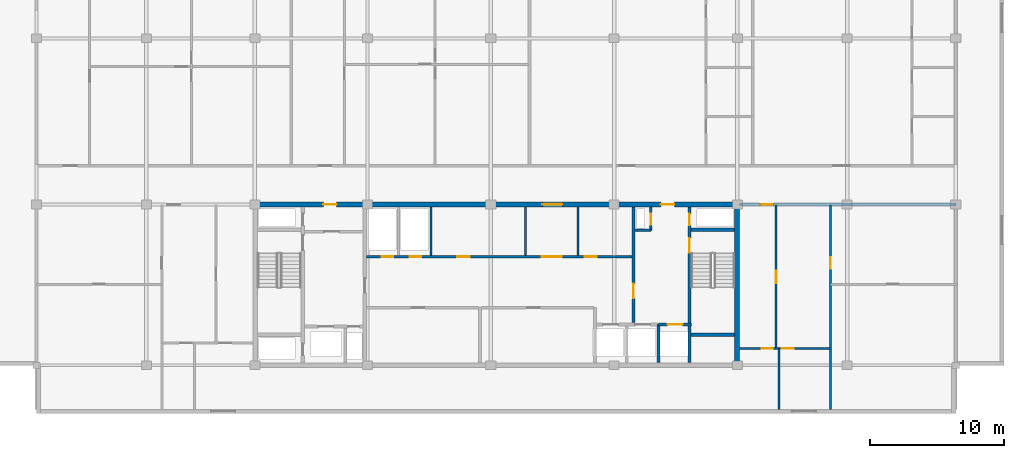
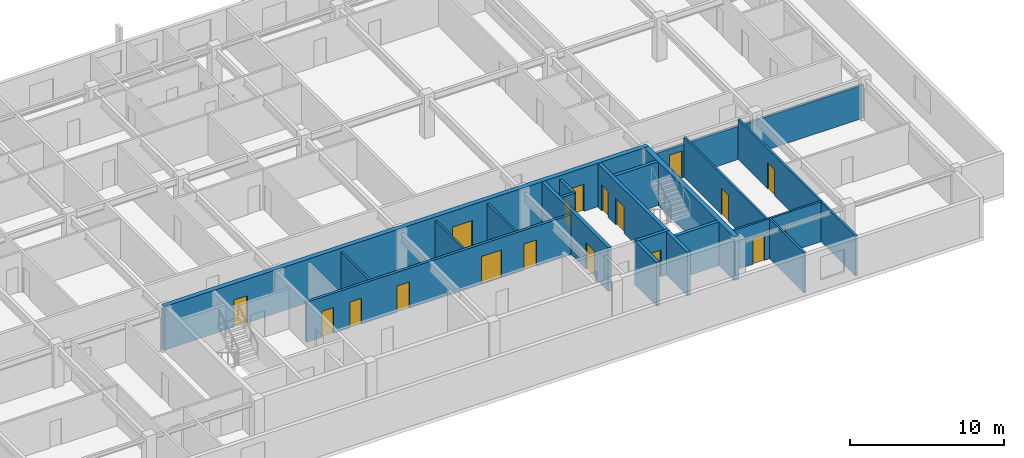
# One storey, part 5 of 11: 19 walls, 18 doors, 18 openings.
"""IFC4 building model written with IfcOpenShell, lengths in metres."""

import ifcopenshell
import ifcopenshell.guid

model = None  # the IFC model being written
_history = None  # IfcOwnerHistory: only IFC2X3 demands one
_inside = {}  # id of a spatial element -> (the spatial element, [elements in it])
_under = {}  # id of a project, library or spatial element -> (it, [spatial elements below it])
_declared = {}  # id of a project -> (the project, [libraries it declares])
_typed = {}  # id of a type object -> (the type object, [elements of that type])
_made_of = {}  # id of a material, layer set ... -> (it, [elements and type objects made of it])


def new_model(schema):
    """Start an empty IFC model of exactly this schema.

    Asked for "IFC4X3", IfcOpenShell would pick the latest addendum, in which some entities
    have other attributes; the version numbers below select the first issue.
    IFC2X3 requires an IfcOwnerHistory on every rooted entity: one is made here for all.
    """
    global model, _history
    if schema == "IFC4X3":
        model = ifcopenshell.file(schema_version=(4, 3, 0, 0))
    else:
        model = ifcopenshell.file(schema=schema)
    _inside.clear()
    _under.clear()
    _declared.clear()
    _typed.clear()
    _made_of.clear()
    _history = None
    if model.schema == "IFC2X3":
        org = make("IfcOrganization", Name="unknown")
        user = make(
            "IfcPersonAndOrganization",
            ThePerson=make("IfcPerson", FamilyName="unknown"),
            TheOrganization=org,
        )
        app = make(
            "IfcApplication",
            ApplicationDeveloper=org,
            Version="unknown",
            ApplicationFullName="unknown",
            ApplicationIdentifier="unknown",
        )
        _history = make(
            "IfcOwnerHistory",
            OwningUser=user,
            OwningApplication=app,
            ChangeAction="ADDED",
            CreationDate=0,
        )
    return model


def make(cls, **values):
    """One entity of the class cls with the attributes given. An attribute that is None is left unset."""
    return model.create_entity(
        cls, **{name: value for name, value in values.items() if value is not None}
    )


def rooted(cls, **values):
    """An entity with a GlobalId (a new one), such as an element, a storey or a relation."""
    return make(cls, GlobalId=ifcopenshell.guid.new(), OwnerHistory=_history, **values)


def si_unit(unit_type, name, prefix=None):
    """IfcSIUnit, for example si_unit("LENGTHUNIT", "METRE", prefix="MILLI")."""
    return make("IfcSIUnit", UnitType=unit_type, Prefix=prefix, Name=name)


def assignment(units):
    """IfcUnitAssignment: the units of a project."""
    return None if units is None else make("IfcUnitAssignment", Units=units)


def point(xyz):
    """IfcCartesianPoint."""
    return None if xyz is None else make("IfcCartesianPoint", Coordinates=xyz)


def direction(xyz):
    """IfcDirection."""
    return None if xyz is None else make("IfcDirection", DirectionRatios=xyz)


def frame(location, z_axis=None, x_axis=None):
    """IfcAxis2Placement3D, a coordinate frame: its origin and axes. An axis left out is left unset."""
    return make(
        "IfcAxis2Placement3D",
        Location=point(location),
        Axis=direction(z_axis),
        RefDirection=direction(x_axis),
    )


def frame_2d(location, x_axis=None):
    """IfcAxis2Placement2D, a coordinate frame in the plane: its origin and x axis."""
    return make(
        "IfcAxis2Placement2D", Location=point(location), RefDirection=direction(x_axis)
    )


def origin():
    """The frame at (0, 0, 0) with its axes left unset."""
    return frame((0.0, 0.0, 0.0))


def place(relative_to, where):
    """IfcLocalPlacement: puts the frame where relative to a parent placement (None: the world)."""
    return make(
        "IfcLocalPlacement", PlacementRelTo=relative_to, RelativePlacement=where
    )


def context(
    kind, dimensions, precision=None, world=None, true_north=None, identifier=None
):
    """IfcGeometricRepresentationContext, for example the 3D "Model" context."""
    return make(
        "IfcGeometricRepresentationContext",
        ContextIdentifier=identifier,
        ContextType=kind,
        CoordinateSpaceDimension=dimensions,
        Precision=precision,
        WorldCoordinateSystem=world,
        TrueNorth=true_north,
    )


def subcontext(parent, identifier, kind, view, scale=None):
    """IfcGeometricRepresentationSubContext, for example "Body" below "Model"."""
    return make(
        "IfcGeometricRepresentationSubContext",
        ContextIdentifier=identifier,
        ContextType=kind,
        ParentContext=parent,
        TargetScale=scale,
        TargetView=view,
    )


def project(units=None, contexts=None):
    """IfcProject with its units and contexts."""
    return rooted(
        "IfcProject",
        Name="project",
        RepresentationContexts=contexts,
        UnitsInContext=assignment(units),
    )


def spatial(cls, under=None, at=None, **own):
    """A site, building, storey or space (cls), placed at a placement, below another one or the project."""
    s = rooted(cls, ObjectPlacement=at, **own)
    if under is not None:
        _under.setdefault(under.id(), (under, []))[1].append(s)
    return s


def profile(cls, at=None, kind="AREA", **sizes):
    """A parametric profile (cls). Its sizes go by their IFC names, for example OverallWidth=200.0."""
    return make(cls, ProfileType=kind, Position=at, **sizes)


def rectangle(**sizes):
    """IfcRectangleProfileDef."""
    return profile("IfcRectangleProfileDef", **sizes)


def extrude(swept, where, along, depth):
    """IfcExtrudedAreaSolid: the profile swept, set in the frame where, extruded along a direction by depth."""
    return make(
        "IfcExtrudedAreaSolid",
        SweptArea=swept,
        Position=where,
        ExtrudedDirection=direction(along),
        Depth=depth,
    )


def shape(context_of_items, identifier, shape_type, items):
    """IfcShapeRepresentation: the items that make up one representation, for example the "Body"."""
    return make(
        "IfcShapeRepresentation",
        ContextOfItems=context_of_items,
        RepresentationIdentifier=identifier,
        RepresentationType=shape_type,
        Items=items,
    )


def material(Name=None, Category=None):
    """IfcMaterial."""
    return make("IfcMaterial", Name=Name, Category=Category)


def layer(
    of_material, thickness, ventilated=None, Name=None, Category=None, Priority=None
):
    """IfcMaterialLayer: one layer of a wall or slab, of a material (None: an air gap)."""
    return make(
        "IfcMaterialLayer",
        Material=of_material,
        LayerThickness=thickness,
        IsVentilated=ventilated,
        Name=Name,
        Category=Category,
        Priority=Priority,
    )


def layer_set(layers, Name=None):
    """IfcMaterialLayerSet."""
    return make("IfcMaterialLayerSet", MaterialLayers=layers, LayerSetName=Name)


def made_of(thing, what):
    """Note that an element or type object is made of a material, layer set ...; save() writes the relation."""
    if what is not None:
        _made_of.setdefault(what.id(), (what, []))[1].append(thing)
    return thing


def type_object(cls, material=None, **own):
    """A type object (cls), such as IfcWallType, which elements share."""
    return made_of(rooted(cls, **own), material)


def element(
    cls,
    number,
    at=None,
    inside=None,
    cuts=None,
    type_object=None,
    material=None,
    context=None,
    identifier="Body",
    shape_type=None,
    held_by="IfcProductDefinitionShape",
    body=None,
    shapes=None,
    **own,
):
    """One element of the class cls, such as IfcWall. Its Tag is "e" and its number.

    at: its placement. inside: the storey or other place that contains it. cuts: it is an
    opening in that element (IfcRelVoidsElement). A single representation is given by context,
    identifier, shape_type and body (its items); several are given by shapes. held_by: the class
    of the entity that holds the representations. save() writes the other relations.
    """
    e = rooted(cls, Tag="e%d" % number, ObjectPlacement=at, **own)
    if body is not None:
        shapes = [shape(context, identifier, shape_type, body)]
    if shapes is not None:
        e.Representation = make(held_by, Representations=shapes)
    if inside is not None:
        _inside.setdefault(inside.id(), (inside, []))[1].append(e)
    if cuts is not None:
        rooted(
            "IfcRelVoidsElement", RelatingBuildingElement=cuts, RelatedOpeningElement=e
        )
    if type_object is not None:
        _typed.setdefault(type_object.id(), (type_object, []))[1].append(e)
    return made_of(e, material)


def fill(opening, filler):
    """IfcRelFillsElement: the door or window that sits in an opening."""
    return rooted(
        "IfcRelFillsElement",
        RelatingOpeningElement=opening,
        RelatedBuildingElement=filler,
    )


def aggregate(whole, parts):
    """IfcRelAggregates: a whole, such as a stair, and the parts it consists of."""
    return rooted("IfcRelAggregates", RelatingObject=whole, RelatedObjects=parts)


def save(model, path):
    """Write the relations noted so far, then the file.

    IfcRelAggregates (storeys below a building ...), IfcRelContainedInSpatialStructure (elements
    in a storey), IfcRelDefinesByType, IfcRelAssociatesMaterial and IfcRelDeclares: one each for
    every whole, place, type object, material and project.
    """
    for whole, parts in _under.values():
        aggregate(whole, parts)
    for where, things in _inside.values():
        rooted(
            "IfcRelContainedInSpatialStructure",
            RelatedElements=things,
            RelatingStructure=where,
        )
    for kind, things in _typed.values():
        rooted("IfcRelDefinesByType", RelatedObjects=things, RelatingType=kind)
    for what, things in _made_of.values():
        rooted("IfcRelAssociatesMaterial", RelatedObjects=things, RelatingMaterial=what)
    for by, libraries in _declared.values():
        rooted("IfcRelDeclares", RelatingContext=by, RelatedDefinitions=libraries)
    model.write(path)


model = new_model("IFC4")

# Units and contexts
model_context = context("Model", 3, precision=1e-05, world=origin(), true_north=direction((0.0, 1.0)))
body_context = subcontext(model_context, "Body", "Model", "MODEL_VIEW")
ifc_project = project(units=[si_unit("LENGTHUNIT", "METRE"), si_unit("AREAUNIT", "SQUARE_METRE"), si_unit("VOLUMEUNIT", "CUBIC_METRE"), si_unit("PLANEANGLEUNIT", "RADIAN"), si_unit("MASSUNIT", "GRAM", prefix="KILO")], contexts=[model_context])

# Site, building, storey
site_placement = place(None, origin())
site = spatial("IfcSite", under=ifc_project, at=site_placement, CompositionType="ELEMENT")
building_placement = place(site_placement, origin())
building = spatial("IfcBuilding", under=site, at=building_placement, Name="Korimba Cascade Residences", CompositionType="ELEMENT")
storey_placement = place(building_placement, frame((0.0, 0.0, 249.35009765625)))
storey = spatial("IfcBuildingStorey", under=building, at=storey_placement, Name="L72", CompositionType="ELEMENT", Elevation=249.35009765625)

# Wall
ifc_material_1 = material(Name="Concrete C65/80", Category="concrete")
ifc_layer_1 = layer(ifc_material_1, 0.35009765625)
ifc_layer_set_1 = layer_set([ifc_layer_1], Name="Concrete C65/80")
wall_type_1 = type_object("IfcWallType", Name="WAL-CORE-350", PredefinedType="SHEAR", material=ifc_layer_set_1)
wall_1_placement = place(storey_placement, frame((112.074951171875, 55.375, 0.0), z_axis=(0.0, 0.0, 1.0), x_axis=(0.0, 1.0, 0.0)))
element("IfcWall", 1, at=wall_1_placement, inside=storey, type_object=wall_type_1, Name="L72 Core Shear Wall CW-L72-T1-E", PredefinedType="SHEAR", context=body_context, shape_type="SweptSolid", body=[
    extrude(rectangle(XDim=11.64990234375, YDim=0.35009765625, at=frame_2d((5.824951171875, 0.0))), origin(), (0.0, 0.0, 1.0), 3.449951171875),
])

# Wall, openings, doors
wall_2_placement = place(storey_placement, frame((75.949951171875, 67.199951171875, 0.0), z_axis=(0.0, 0.0, 1.0), x_axis=(1.0, 0.0, 0.0)))
wall_2 = element("IfcWall", 2, at=wall_2_placement, inside=storey, type_object=wall_type_1, Name="L72 Core Shear Wall CW-L72-T1-N", PredefinedType="SHEAR", context=body_context, shape_type="SweptSolid", body=[
    extrude(rectangle(XDim=36.300048828125, YDim=0.35009765625, at=frame_2d((18.14990234375, 0.0))), origin(), (0.0, 0.0, 1.0), 3.449951171875),
])
opening_1_placement = place(wall_2_placement, frame((5.25, 0.0, 0.0)))
opening_1 = element("IfcOpeningElement", 3, at=opening_1_placement, cuts=wall_2, Name="Opening D-FD5", PredefinedType="OPENING", context=body_context, shape_type="SweptSolid", body=[
    extrude(rectangle(XDim=1.0, YDim=2.14990234375, at=frame_2d((0.5, 1.074951171875))), frame((0.0, 0.18505859375, 0.0), z_axis=(0.0, -1.0, 0.0), x_axis=(1.0, 0.0, 0.0)), (0.0, 0.0, 1.0), 0.3701171875),
])
opening_2_placement = place(wall_2_placement, frame((21.60009765625, 0.0, 0.0)))
opening_2 = element("IfcOpeningElement", 4, at=opening_2_placement, cuts=wall_2, Name="Opening D-FD8", PredefinedType="OPENING", context=body_context, shape_type="SweptSolid", body=[
    extrude(rectangle(XDim=1.5, YDim=2.199951171875, at=frame_2d((0.75, 1.10009765625))), frame((0.0, 0.18505859375, 0.0), z_axis=(0.0, -1.0, 0.0), x_axis=(1.0, 0.0, 0.0)), (0.0, 0.0, 1.0), 0.3701171875),
])
opening_3_placement = place(wall_2_placement, frame((30.449951171875, 0.0, 0.0)))
opening_3 = element("IfcOpeningElement", 5, at=opening_3_placement, cuts=wall_2, Name="Opening D-FD5", PredefinedType="OPENING", context=body_context, shape_type="SweptSolid", body=[
    extrude(rectangle(XDim=1.0, YDim=2.14990234375, at=frame_2d((0.5, 1.074951171875))), frame((0.0, 0.18505859375, 0.0), z_axis=(0.0, -1.0, 0.0), x_axis=(1.0, 0.0, 0.0)), (0.0, 0.0, 1.0), 0.3701171875),
])
ifc_material_2 = material(Name="Fire-Rated Acoustic Timber Vestibule Door", Category="wood")
door_type_1 = type_object("IfcDoorType", Name="DR-FD90-1000", OperationType="NOTDEFINED", PredefinedType="DOOR", material=ifc_material_2)
door_1_placement = place(opening_1_placement, origin())
door_1 = element("IfcDoor", 6, at=door_1_placement, inside=storey, type_object=door_type_1, Name="L72 T1 West Core Vestibule Fire Door", OperationType="SINGLE_SWING_LEFT", OverallHeight=2.14990234375, OverallWidth=1.0, PredefinedType="DOOR", context=body_context, shape_type="SweptSolid", body=[
    extrude(rectangle(XDim=1.0, YDim=2.14990234375, at=frame_2d((0.5, 1.074951171875))), frame((0.0, 0.02490234375, 0.0), z_axis=(0.0, -1.0, 0.0), x_axis=(1.0, 0.0, 0.0)), (0.0, 0.0, 1.0), 0.050048828125),
])
fill(opening_1, door_1)
door_2_placement = place(opening_3_placement, origin())
door_2 = element("IfcDoor", 7, at=door_2_placement, inside=storey, type_object=door_type_1, Name="L72 T1 East Firefighting Vestibule Fire Door", OperationType="SINGLE_SWING_RIGHT", OverallHeight=2.14990234375, OverallWidth=1.0, PredefinedType="DOOR", context=body_context, shape_type="SweptSolid", body=[
    extrude(rectangle(XDim=1.0, YDim=2.14990234375, at=frame_2d((0.5, 1.074951171875))), frame((0.0, 0.02490234375, 0.0), z_axis=(0.0, -1.0, 0.0), x_axis=(1.0, 0.0, 0.0)), (0.0, 0.0, 1.0), 0.050048828125),
])
fill(opening_3, door_2)
ifc_material_3 = material(Name="Fire-Rated Glazed Lift Lobby Double Door", Category="glass")
door_type_2 = type_object("IfcDoorType", Name="DR-FD90-1500", OperationType="NOTDEFINED", PredefinedType="DOOR", material=ifc_material_3)
door_3_placement = place(opening_2_placement, origin())
door_3 = element("IfcDoor", 8, at=door_3_placement, inside=storey, type_object=door_type_2, Name="L72 T1 Lift Lobby Fire Door", OperationType="DOUBLE_DOOR_SINGLE_SWING", OverallHeight=2.199951171875, OverallWidth=1.5, PredefinedType="DOOR", context=body_context, shape_type="SweptSolid", body=[
    extrude(rectangle(XDim=1.5, YDim=2.199951171875, at=frame_2d((0.75, 1.10009765625))), frame((0.0, 0.02490234375, 0.0), z_axis=(0.0, -1.0, 0.0), x_axis=(1.0, 0.0, 0.0)), (0.0, 0.0, 1.0), 0.050048828125),
])
fill(opening_2, door_3)

# Wall, opening, door
ifc_material_4 = material(Name="Precast concrete C40/50", Category="concrete")
ifc_layer_2 = layer(ifc_material_4, 0.199951171875)
ifc_layer_set_2 = layer_set([ifc_layer_2], Name="Precast concrete C40/50")
wall_type_2 = type_object("IfcWallType", Name="WAL-IT-200", PredefinedType="PARTITIONING", material=ifc_layer_set_2)
wall_3_placement = place(storey_placement, frame((112.25, 67.199951171875, 0.0), z_axis=(0.0, 0.0, 1.0), x_axis=(1.0, 0.0, 0.0)))
wall_3 = element("IfcWall", 9, at=wall_3_placement, inside=storey, type_object=wall_type_2, Name="L72 Partition Wall WAL-L72-T1-FE-N", PredefinedType="PARTITIONING", context=body_context, shape_type="SweptSolid", body=[
    extrude(rectangle(XDim=16.14990234375, YDim=0.199951171875, at=frame_2d((8.074951171875, 0.0))), origin(), (0.0, 0.0, 1.0), 2.63330078125),
])
opening_4_placement = place(wall_3_placement, frame((1.580078125, 0.0, 0.0)))
opening_4 = element("IfcOpeningElement", 10, at=opening_4_placement, cuts=wall_3, Name="Opening D-UN1", PredefinedType="OPENING", context=body_context, shape_type="SweptSolid", body=[
    extrude(rectangle(XDim=0.949951171875, YDim=2.14990234375, at=frame_2d((0.47509765625, 1.074951171875))), frame((0.0, 0.10986328125, 0.0), z_axis=(0.0, -1.0, 0.0), x_axis=(1.0, 0.0, 0.0)), (0.0, 0.0, 1.0), 0.219970703125),
])
ifc_material_5 = material(Name="Fire-Rated Hardwood Apartment Entrance Door", Category="wood")
door_type_3 = type_object("IfcDoorType", Name="DR-FD60-950", OperationType="NOTDEFINED", PredefinedType="DOOR", material=ifc_material_5)
door_4_placement = place(opening_4_placement, origin())
door_4 = element("IfcDoor", 11, at=door_4_placement, inside=storey, type_object=door_type_3, Name="L72-T1-FE Entrance Door", OperationType="SINGLE_SWING_RIGHT", OverallHeight=2.14990234375, OverallWidth=0.949951171875, PredefinedType="DOOR", context=body_context, shape_type="SweptSolid", body=[
    extrude(rectangle(XDim=0.949951171875, YDim=2.14990234375, at=frame_2d((0.47509765625, 1.074951171875))), frame((0.0, 0.02490234375, 0.0), z_axis=(0.0, -1.0, 0.0), x_axis=(1.0, 0.0, 0.0)), (0.0, 0.0, 1.0), 0.050048828125),
])
fill(opening_4, door_4)

# Walls
ifc_material_6 = material(Name="Insulated Acoustic Stud Partition", Category="gypsum")
ifc_layer_3 = layer(ifc_material_6, 0.14990234375)
ifc_layer_set_3 = layer_set([ifc_layer_3], Name="Insulated Acoustic Stud Partition")
wall_type_3 = type_object("IfcWallType", Name="WAL-PART-150", PredefinedType="PARTITIONING", material=ifc_layer_set_3)
for number, where, z_axis, x_axis, name in (
    (12, (89.25, 63.39990234375, 0.0), (0.0, 0.0, 1.0), (0.0, 1.0, 0.0), "L72 Partition Wall CW-L72-T1-PRDIV"),
    (13, (96.300048828125, 63.39990234375, 0.0), (0.0, 0.0, 1.0), (0.0, 1.0, 0.0), "L72 Partition Wall CW-L72-T1-THW"),
    (14, (100.199951171875, 63.39990234375, 0.0), (0.0, 0.0, 1.0), (0.0, 1.0, 0.0), "L72 Partition Wall CW-L72-T1-THE"),
):
    element("IfcWall", number, at=place(storey_placement, frame(where, z_axis=z_axis, x_axis=x_axis)), inside=storey, type_object=wall_type_3, Name=name, PredefinedType="PARTITIONING", context=body_context, shape_type="SweptSolid", body=[
        extrude(rectangle(XDim=3.60009765625, YDim=0.14990234375, at=frame_2d((1.800048828125, 0.0))), origin(), (0.0, 0.0, 1.0), 3.169921875),
    ])

# Wall, opening, door
wall_4_placement = place(storey_placement, frame((119.050048828125, 51.89990234375, 0.0), z_axis=(0.0, 0.0, 1.0), x_axis=(0.0, 1.0, 0.0)))
wall_4 = element("IfcWall", 15, at=wall_4_placement, inside=storey, type_object=wall_type_3, Name="L72 Partition Wall WAL-L72-T1-FE-STV", PredefinedType="PARTITIONING", context=body_context, shape_type="SweptSolid", body=[
    extrude(rectangle(XDim=15.25, YDim=0.14990234375, at=frame_2d((7.625, 0.0))), origin(), (0.0, 0.0, 1.0), 3.169921875),
])
opening_5_placement = place(wall_4_placement, frame((10.5, 0.0, 0.0)))
opening_5 = element("IfcOpeningElement", 16, at=opening_5_placement, cuts=wall_4, Name="Opening D-IN2", PredefinedType="OPENING", context=body_context, shape_type="SweptSolid", body=[
    extrude(rectangle(XDim=0.8798828125, YDim=2.06005859375, at=frame_2d((0.43994140625, 1.030029296875))), frame((0.0, 0.0849609375, 0.0), z_axis=(0.0, -1.0, 0.0), x_axis=(1.0, 0.0, 0.0)), (0.0, 0.0, 1.0), 0.169921875),
])
ifc_material_7 = material(Name="Acoustic Timber Bedroom Door", Category="wood")
door_type_4 = type_object("IfcDoorType", Name="DR-INT-880", OperationType="NOTDEFINED", PredefinedType="DOOR", material=ifc_material_7)
door_5_placement = place(opening_5_placement, origin())
door_5 = element("IfcDoor", 17, at=door_5_placement, inside=storey, type_object=door_type_4, Name="L72-T1-FE Study Door", OperationType="SINGLE_SWING_RIGHT", OverallHeight=2.06005859375, OverallWidth=0.8798828125, PredefinedType="DOOR", context=body_context, shape_type="SweptSolid", body=[
    extrude(rectangle(XDim=0.8798828125, YDim=2.06005859375, at=frame_2d((0.43994140625, 1.030029296875))), frame((0.0, 0.02490234375, 0.0), z_axis=(0.0, -1.0, 0.0), x_axis=(1.0, 0.0, 0.0)), (0.0, 0.0, 1.0), 0.050048828125),
])
fill(opening_5, door_5)

wall_5_placement = place(storey_placement, frame((115.0, 56.449951171875, 0.0), z_axis=(0.0, 0.0, 1.0), x_axis=(0.0, 1.0, 0.0)))
wall_5 = element("IfcWall", 18, at=wall_5_placement, inside=storey, type_object=wall_type_3, Name="L72 Partition Wall WAL-L72-T1-FE-VN", PredefinedType="PARTITIONING", context=body_context, shape_type="SweptSolid", body=[
    extrude(rectangle(XDim=10.699951171875, YDim=0.14990234375, at=frame_2d((5.35009765625, 0.0))), origin(), (0.0, 0.0, 1.0), 3.169921875),
])
opening_6_placement = place(wall_5_placement, frame((4.889892578125, 0.0, 0.0)))
opening_6 = element("IfcOpeningElement", 19, at=opening_6_placement, cuts=wall_5, Name="Opening D-IN1", PredefinedType="OPENING", context=body_context, shape_type="SweptSolid", body=[
    extrude(rectangle(XDim=0.919921875, YDim=2.080078125, at=frame_2d((0.4599609375, 1.0400390625))), frame((0.0, 0.0849609375, 0.0), z_axis=(0.0, -1.0, 0.0), x_axis=(1.0, 0.0, 0.0)), (0.0, 0.0, 1.0), 0.169921875),
])
ifc_material_8 = material(Name="Acoustic Timber Living Door", Category="wood")
door_type_5 = type_object("IfcDoorType", Name="DR-INT-920", OperationType="NOTDEFINED", PredefinedType="DOOR", material=ifc_material_8)
door_6_placement = place(opening_6_placement, origin())
door_6 = element("IfcDoor", 20, at=door_6_placement, inside=storey, type_object=door_type_5, Name="L72-T1-FE Living Door", OperationType="SINGLE_SWING_LEFT", OverallHeight=2.080078125, OverallWidth=0.919921875, PredefinedType="DOOR", context=body_context, shape_type="SweptSolid", body=[
    extrude(rectangle(XDim=0.919921875, YDim=2.080078125, at=frame_2d((0.4599609375, 1.0400390625))), frame((0.0, 0.02490234375, 0.0), z_axis=(0.0, -1.0, 0.0), x_axis=(1.0, 0.0, 0.0)), (0.0, 0.0, 1.0), 0.050048828125),
])
fill(opening_6, door_6)

# Wall
wall_6_placement = place(storey_placement, frame((115.199951171875, 51.89990234375, 0.0), z_axis=(0.0, 0.0, 1.0), x_axis=(0.0, 1.0, 0.0)))
element("IfcWall", 21, at=wall_6_placement, inside=storey, type_object=wall_type_3, Name="L72 Partition Wall WAL-L72-T1-FE-VS", PredefinedType="PARTITIONING", context=body_context, shape_type="SweptSolid", body=[
    extrude(rectangle(XDim=4.550048828125, YDim=0.14990234375, at=frame_2d((2.27490234375, 0.0))), origin(), (0.0, 0.0, 1.0), 3.169921875),
])

# Wall, openings, doors
wall_7_placement = place(storey_placement, frame((112.27001953125, 56.449951171875, 0.0), z_axis=(0.0, 0.0, 1.0), x_axis=(1.0, 0.0, 0.0)))
wall_7 = element("IfcWall", 22, at=wall_7_placement, inside=storey, type_object=wall_type_3, Name="L72 Partition Wall WAL-L72-T1-FE-H", PredefinedType="PARTITIONING", context=body_context, shape_type="SweptSolid", body=[
    extrude(rectangle(XDim=6.760009765625, YDim=0.14990234375, at=frame_2d((3.3798828125, 0.0))), origin(), (0.0, 0.0, 1.0), 3.169921875),
])
opening_7_placement = place(wall_7_placement, frame((1.6396484375, 0.0, 0.0)))
opening_7 = element("IfcOpeningElement", 23, at=opening_7_placement, cuts=wall_7, Name="Opening D-BT1", PredefinedType="OPENING", context=body_context, shape_type="SweptSolid", body=[
    extrude(rectangle(XDim=0.840087890625, YDim=2.0400390625, at=frame_2d((0.419921875, 1.02001953125))), frame((0.0, 0.0849609375, 0.0), z_axis=(0.0, -1.0, 0.0), x_axis=(1.0, 0.0, 0.0)), (0.0, 0.0, 1.0), 0.169921875),
])
opening_8_placement = place(wall_7_placement, frame((3.160400390625, 0.0, 0.0)))
opening_8 = element("IfcOpeningElement", 24, at=opening_8_placement, cuts=wall_7, Name="Opening D-IN2", PredefinedType="OPENING", context=body_context, shape_type="SweptSolid", body=[
    extrude(rectangle(XDim=0.8798828125, YDim=2.06005859375, at=frame_2d((0.43994140625, 1.030029296875))), frame((0.0, 0.0849609375, 0.0), z_axis=(0.0, -1.0, 0.0), x_axis=(1.0, 0.0, 0.0)), (0.0, 0.0, 1.0), 0.169921875),
])
ifc_material_9 = material(Name="Moisture-Resistant Bathroom Timber Door", Category="wood")
door_type_6 = type_object("IfcDoorType", Name="DR-INT-850", OperationType="NOTDEFINED", PredefinedType="DOOR", material=ifc_material_9)
door_7_placement = place(opening_7_placement, origin())
door_7 = element("IfcDoor", 25, at=door_7_placement, inside=storey, type_object=door_type_6, Name="L72-T1-FE Bathroom Door", OperationType="SINGLE_SWING_RIGHT", OverallHeight=2.0400390625, OverallWidth=0.840087890625, PredefinedType="DOOR", context=body_context, shape_type="SweptSolid", body=[
    extrude(rectangle(XDim=0.840087890625, YDim=2.0400390625, at=frame_2d((0.419921875, 1.02001953125))), frame((0.0, 0.02490234375, 0.0), z_axis=(0.0, -1.0, 0.0), x_axis=(1.0, 0.0, 0.0)), (0.0, 0.0, 1.0), 0.050048828125),
])
fill(opening_7, door_7)
door_8_placement = place(opening_8_placement, origin())
door_8 = element("IfcDoor", 26, at=door_8_placement, inside=storey, type_object=door_type_4, Name="L72-T1-FE Bedroom Door", OperationType="SINGLE_SWING_LEFT", OverallHeight=2.06005859375, OverallWidth=0.8798828125, PredefinedType="DOOR", context=body_context, shape_type="SweptSolid", body=[
    extrude(rectangle(XDim=0.8798828125, YDim=2.06005859375, at=frame_2d((0.43994140625, 1.030029296875))), frame((0.0, 0.02490234375, 0.0), z_axis=(0.0, -1.0, 0.0), x_axis=(1.0, 0.0, 0.0)), (0.0, 0.0, 1.0), 0.050048828125),
])
fill(opening_8, door_8)

ifc_material_10 = material(Name="Concrete C40/50", Category="concrete")
ifc_layer_4 = layer(ifc_material_10, 0.199951171875)
ifc_layer_set_4 = layer_set([ifc_layer_4], Name="Concrete C40/50")
wall_type_4 = type_object("IfcWallType", Name="WAL-PART-200", PredefinedType="PARTITIONING", material=ifc_layer_set_4)
wall_8_placement = place(storey_placement, frame((84.419921875, 63.300048828125, 0.0), z_axis=(0.0, 0.0, 1.0), x_axis=(1.0, 0.0, 0.0)))
wall_8 = element("IfcWall", 27, at=wall_8_placement, inside=storey, type_object=wall_type_4, Name="L72 Partition Wall CW-L72-T1-SRVROW", PredefinedType="PARTITIONING", context=body_context, shape_type="SweptSolid", body=[
    extrude(rectangle(XDim=19.830078125, YDim=0.199951171875, at=frame_2d((9.9150390625, 0.0))), origin(), (0.0, 0.0, 1.0), 3.169921875),
])
opening_9_placement = place(wall_8_placement, frame((1.14990234375, 0.0, 0.0)))
opening_9 = element("IfcOpeningElement", 28, at=opening_9_placement, cuts=wall_8, Name="Opening D-RS1", PredefinedType="OPENING", context=body_context, shape_type="SweptSolid", body=[
    extrude(rectangle(XDim=0.85009765625, YDim=2.050048828125, at=frame_2d((0.425048828125, 1.02490234375))), frame((0.0, 0.10986328125, 0.0), z_axis=(0.0, -1.0, 0.0), x_axis=(1.0, 0.0, 0.0)), (0.0, 0.0, 1.0), 0.219970703125),
])
opening_10_placement = place(wall_8_placement, frame((3.25, 0.0, 0.0)))
opening_10 = element("IfcOpeningElement", 29, at=opening_10_placement, cuts=wall_8, Name="Opening D-RS1", PredefinedType="OPENING", context=body_context, shape_type="SweptSolid", body=[
    extrude(rectangle(XDim=0.85009765625, YDim=2.050048828125, at=frame_2d((0.425048828125, 1.02490234375))), frame((0.0, 0.10986328125, 0.0), z_axis=(0.0, -1.0, 0.0), x_axis=(1.0, 0.0, 0.0)), (0.0, 0.0, 1.0), 0.219970703125),
])
opening_11_placement = place(wall_8_placement, frame((13.080078125, 0.0, 0.0)))
opening_11 = element("IfcOpeningElement", 30, at=opening_11_placement, cuts=wall_8, Name="Opening D-FD8", PredefinedType="OPENING", context=body_context, shape_type="SweptSolid", body=[
    extrude(rectangle(XDim=1.5, YDim=2.199951171875, at=frame_2d((0.75, 1.10009765625))), frame((0.0, 0.10986328125, 0.0), z_axis=(0.0, -1.0, 0.0), x_axis=(1.0, 0.0, 0.0)), (0.0, 0.0, 1.0), 0.219970703125),
])
opening_12_placement = place(wall_8_placement, frame((6.780029296875, 0.0, 0.0)))
opening_12 = element("IfcOpeningElement", 31, at=opening_12_placement, cuts=wall_8, Name="Opening D-IN1", PredefinedType="OPENING", context=body_context, shape_type="SweptSolid", body=[
    extrude(rectangle(XDim=0.919921875, YDim=2.080078125, at=frame_2d((0.4599609375, 1.0400390625))), frame((0.0, 0.10986328125, 0.0), z_axis=(0.0, -1.0, 0.0), x_axis=(1.0, 0.0, 0.0)), (0.0, 0.0, 1.0), 0.219970703125),
])
opening_13_placement = place(wall_8_placement, frame((16.280029296875, 0.0, 0.0)))
opening_13 = element("IfcOpeningElement", 32, at=opening_13_placement, cuts=wall_8, Name="Opening D-IN1", PredefinedType="OPENING", context=body_context, shape_type="SweptSolid", body=[
    extrude(rectangle(XDim=0.919921875, YDim=2.080078125, at=frame_2d((0.4599609375, 1.0400390625))), frame((0.0, 0.10986328125, 0.0), z_axis=(0.0, -1.0, 0.0), x_axis=(1.0, 0.0, 0.0)), (0.0, 0.0, 1.0), 0.219970703125),
])
ifc_material_11 = material(Name="Fire-Rated Steel Riser Access Door", Category="steel")
door_type_7 = type_object("IfcDoorType", Name="DR-FD60-850", OperationType="NOTDEFINED", PredefinedType="DOOR", material=ifc_material_11)
door_9_placement = place(opening_9_placement, origin())
door_9 = element("IfcDoor", 33, at=door_9_placement, inside=storey, type_object=door_type_7, Name="L72 Electrical Riser Door", OperationType="SINGLE_SWING_LEFT", OverallHeight=2.050048828125, OverallWidth=0.85009765625, PredefinedType="DOOR", context=body_context, shape_type="SweptSolid", body=[
    extrude(rectangle(XDim=0.85009765625, YDim=2.050048828125, at=frame_2d((0.425048828125, 1.02490234375))), frame((0.0, 0.02490234375, 0.0), z_axis=(0.0, -1.0, 0.0), x_axis=(1.0, 0.0, 0.0)), (0.0, 0.0, 1.0), 0.050048828125),
])
fill(opening_9, door_9)
door_10_placement = place(opening_10_placement, origin())
door_10 = element("IfcDoor", 34, at=door_10_placement, inside=storey, type_object=door_type_7, Name="L72 Plumbing Riser Door", OperationType="SINGLE_SWING_RIGHT", OverallHeight=2.050048828125, OverallWidth=0.85009765625, PredefinedType="DOOR", context=body_context, shape_type="SweptSolid", body=[
    extrude(rectangle(XDim=0.85009765625, YDim=2.050048828125, at=frame_2d((0.425048828125, 1.02490234375))), frame((0.0, 0.02490234375, 0.0), z_axis=(0.0, -1.0, 0.0), x_axis=(1.0, 0.0, 0.0)), (0.0, 0.0, 1.0), 0.050048828125),
])
fill(opening_10, door_10)
door_11_placement = place(opening_11_placement, origin())
door_11 = element("IfcDoor", 35, at=door_11_placement, inside=storey, type_object=door_type_2, Name="L72 Lift Lobby Foyer Archway Door", OperationType="DOUBLE_DOOR_SINGLE_SWING", OverallHeight=2.199951171875, OverallWidth=1.5, PredefinedType="DOOR", context=body_context, shape_type="SweptSolid", body=[
    extrude(rectangle(XDim=1.5, YDim=2.199951171875, at=frame_2d((0.75, 1.10009765625))), frame((0.0, 0.02490234375, 0.0), z_axis=(0.0, -1.0, 0.0), x_axis=(1.0, 0.0, 0.0)), (0.0, 0.0, 1.0), 0.050048828125),
])
fill(opening_11, door_11)
door_12_placement = place(opening_12_placement, origin())
door_12 = element("IfcDoor", 36, at=door_12_placement, inside=storey, type_object=door_type_5, Name="L72 Housekeeping Door", OperationType="SINGLE_SWING_LEFT", OverallHeight=2.080078125, OverallWidth=0.919921875, PredefinedType="DOOR", context=body_context, shape_type="SweptSolid", body=[
    extrude(rectangle(XDim=0.919921875, YDim=2.080078125, at=frame_2d((0.4599609375, 1.0400390625))), frame((0.0, 0.02490234375, 0.0), z_axis=(0.0, -1.0, 0.0), x_axis=(1.0, 0.0, 0.0)), (0.0, 0.0, 1.0), 0.050048828125),
])
fill(opening_12, door_12)
door_13_placement = place(opening_13_placement, origin())
door_13 = element("IfcDoor", 37, at=door_13_placement, inside=storey, type_object=door_type_5, Name="L72 Store Door", OperationType="SINGLE_SWING_RIGHT", OverallHeight=2.080078125, OverallWidth=0.919921875, PredefinedType="DOOR", context=body_context, shape_type="SweptSolid", body=[
    extrude(rectangle(XDim=0.919921875, YDim=2.080078125, at=frame_2d((0.4599609375, 1.0400390625))), frame((0.0, 0.02490234375, 0.0), z_axis=(0.0, -1.0, 0.0), x_axis=(1.0, 0.0, 0.0)), (0.0, 0.0, 1.0), 0.050048828125),
])
fill(opening_13, door_13)

# Wall
wall_9_placement = place(storey_placement, frame((104.449951171875, 65.280029296875, 0.0), z_axis=(0.0, 0.0, 1.0), x_axis=(1.0, 0.0, 0.0)))
element("IfcWall", 38, at=wall_9_placement, inside=storey, type_object=wall_type_4, Name="L72 Partition Wall CW-L72-T1-HYDW2S", PredefinedType="PARTITIONING", context=body_context, shape_type="SweptSolid", body=[
    extrude(rectangle(XDim=1.199951171875, YDim=0.199951171875, at=frame_2d((0.60009765625, 0.0))), origin(), (0.0, 0.0, 1.0), 3.169921875),
])

# Wall, opening, door
wall_10_placement = place(storey_placement, frame((105.64990234375, 65.280029296875, 0.0), z_axis=(0.0, 0.0, 1.0), x_axis=(0.0, 1.0, 0.0)))
wall_10 = element("IfcWall", 39, at=wall_10_placement, inside=storey, type_object=wall_type_4, Name="L72 Partition Wall CW-L72-T1-HYDW2E", PredefinedType="PARTITIONING", context=body_context, shape_type="SweptSolid", body=[
    extrude(rectangle(XDim=1.719970703125, YDim=0.199951171875, at=frame_2d((0.85986328125, 0.0))), origin(), (0.0, 0.0, 1.0), 3.169921875),
])
opening_14_placement = place(wall_10_placement, frame((0.39990234375, 0.0, 0.0)))
opening_14 = element("IfcOpeningElement", 40, at=opening_14_placement, cuts=wall_10, Name="Opening D-RS1", PredefinedType="OPENING", context=body_context, shape_type="SweptSolid", body=[
    extrude(rectangle(XDim=0.85009765625, YDim=2.050048828125, at=frame_2d((0.425048828125, 1.02490234375))), frame((0.0, 0.10986328125, 0.0), z_axis=(0.0, -1.0, 0.0), x_axis=(1.0, 0.0, 0.0)), (0.0, 0.0, 1.0), 0.219970703125),
])
door_14_placement = place(opening_14_placement, origin())
door_14 = element("IfcDoor", 41, at=door_14_placement, inside=storey, type_object=door_type_7, Name="L72 East Hydrant Door", OperationType="SINGLE_SWING_LEFT", OverallHeight=2.050048828125, OverallWidth=0.85009765625, PredefinedType="DOOR", context=body_context, shape_type="SweptSolid", body=[
    extrude(rectangle(XDim=0.85009765625, YDim=2.050048828125, at=frame_2d((0.425048828125, 1.02490234375))), frame((0.0, 0.02490234375, 0.0), z_axis=(0.0, -1.0, 0.0), x_axis=(1.0, 0.0, 0.0)), (0.0, 0.0, 1.0), 0.050048828125),
])
fill(opening_14, door_14)

# Wall
ifc_material_12 = material(Name="Concrete C50/60", Category="concrete")
ifc_layer_5 = layer(ifc_material_12, 0.25)
ifc_layer_set_5 = layer_set([ifc_layer_5], Name="Concrete C50/60")
wall_type_5 = type_object("IfcWallType", Name="WAL-SHAFT-250", PredefinedType="SHEAR", material=ifc_layer_set_5)
wall_11_placement = place(storey_placement, frame((106.219970703125, 55.39990234375, 0.0), z_axis=(0.0, 0.0, 1.0), x_axis=(0.0, 1.0, 0.0)))
element("IfcWall", 42, at=wall_11_placement, inside=storey, type_object=wall_type_5, Name="L72 Core Shear Wall CW-L72-T1-FF2W", PredefinedType="SHEAR", context=body_context, shape_type="SweptSolid", body=[
    extrude(rectangle(XDim=2.85009765625, YDim=0.25, at=frame_2d((1.425048828125, 0.0))), origin(), (0.0, 0.0, 1.0), 3.449951171875),
])

# Wall, opening, door
wall_12_placement = place(storey_placement, frame((106.219970703125, 58.25, 0.0), z_axis=(0.0, 0.0, 1.0), x_axis=(1.0, 0.0, 0.0)))
wall_12 = element("IfcWall", 43, at=wall_12_placement, inside=storey, type_object=wall_type_5, Name="L72 Core Shear Wall CW-L72-T1-FF2N", PredefinedType="SHEAR", context=body_context, shape_type="SweptSolid", body=[
    extrude(rectangle(XDim=2.4599609375, YDim=0.25, at=frame_2d((1.22998046875, 0.0))), origin(), (0.0, 0.0, 1.0), 3.449951171875),
])
opening_15_placement = place(wall_12_placement, frame((0.669921875, 0.0, 0.0)))
opening_15 = element("IfcOpeningElement", 44, at=opening_15_placement, cuts=wall_12, Name="Opening LD-01", PredefinedType="OPENING", context=body_context, shape_type="SweptSolid", body=[
    extrude(rectangle(XDim=1.1201171875, YDim=2.1201171875, at=frame_2d((0.56005859375, 1.06005859375))), frame((0.0, 0.135009765625, 0.0), z_axis=(0.0, -1.0, 0.0), x_axis=(1.0, 0.0, 0.0)), (0.0, 0.0, 1.0), 0.27001953125),
])
ifc_material_13 = material(Name="Stainless Steel Lift Landing Sliding Door", Category="steel")
door_type_8 = type_object("IfcDoorType", Name="DR-LIFT-1100", OperationType="NOTDEFINED", PredefinedType="DOOR", material=ifc_material_13)
door_15_placement = place(opening_15_placement, origin())
door_15 = element("IfcDoor", 45, at=door_15_placement, inside=storey, type_object=door_type_8, Name="L72 Firefighting Lift Landing Door FFL-W2", OperationType="SLIDING_TO_RIGHT", OverallHeight=2.1201171875, OverallWidth=1.1201171875, PredefinedType="DOOR", context=body_context, shape_type="SweptSolid", body=[
    extrude(rectangle(XDim=1.1201171875, YDim=2.1201171875, at=frame_2d((0.56005859375, 1.06005859375))), frame((0.0, 0.02490234375, 0.0), z_axis=(0.0, -1.0, 0.0), x_axis=(1.0, 0.0, 0.0)), (0.0, 0.0, 1.0), 0.050048828125),
])
fill(opening_15, door_15)

wall_13_placement = place(storey_placement, frame((104.35009765625, 58.39990234375, 0.0), z_axis=(0.0, 0.0, 1.0), x_axis=(0.0, 1.0, 0.0)))
wall_13 = element("IfcWall", 46, at=wall_13_placement, inside=storey, type_object=wall_type_5, Name="L72 Core Shear Wall CW-L72-T1-LLEV", PredefinedType="SHEAR", context=body_context, shape_type="SweptSolid", body=[
    extrude(rectangle(XDim=8.60009765625, YDim=0.25, at=frame_2d((4.300048828125, 0.0))), origin(), (0.0, 0.0, 1.0), 3.449951171875),
])
opening_16_placement = place(wall_13_placement, frame((1.800048828125, 0.0, 0.0)))
opening_16 = element("IfcOpeningElement", 47, at=opening_16_placement, cuts=wall_13, Name="Opening D-FD1", PredefinedType="OPENING", context=body_context, shape_type="SweptSolid", body=[
    extrude(rectangle(XDim=1.10009765625, YDim=2.10009765625, at=frame_2d((0.550048828125, 1.050048828125))), frame((0.0, 0.135009765625, 0.0), z_axis=(0.0, -1.0, 0.0), x_axis=(1.0, 0.0, 0.0)), (0.0, 0.0, 1.0), 0.27001953125),
])
ifc_material_14 = material(Name="Fire-Rated Steel Core Door", Category="steel")
door_type_9 = type_object("IfcDoorType", Name="DR-FD120-1100", OperationType="NOTDEFINED", PredefinedType="DOOR", material=ifc_material_14)
door_16_placement = place(opening_16_placement, origin())
door_16 = element("IfcDoor", 48, at=door_16_placement, inside=storey, type_object=door_type_9, Name="L72 Lift Lobby to East Firefighting Lobby Door", OperationType="SINGLE_SWING_RIGHT", OverallHeight=2.10009765625, OverallWidth=1.10009765625, PredefinedType="DOOR", context=body_context, shape_type="SweptSolid", body=[
    extrude(rectangle(XDim=1.10009765625, YDim=2.10009765625, at=frame_2d((0.550048828125, 1.050048828125))), frame((0.0, 0.02490234375, 0.0), z_axis=(0.0, -1.0, 0.0), x_axis=(1.0, 0.0, 0.0)), (0.0, 0.0, 1.0), 0.050048828125),
])
fill(opening_16, door_16)

# Wall, openings, doors
wall_14_placement = place(storey_placement, frame((108.534912109375, 55.39990234375, 0.0), z_axis=(0.0, 0.0, 1.0), x_axis=(0.0, 1.0, 0.0)))
wall_14 = element("IfcWall", 49, at=wall_14_placement, inside=storey, type_object=wall_type_5, Name="L72 Core Shear Wall CW-L72-T1-STW2W", PredefinedType="SHEAR", context=body_context, shape_type="SweptSolid", body=[
    extrude(rectangle(XDim=11.60009765625, YDim=0.25, at=frame_2d((5.800048828125, 0.0))), origin(), (0.0, 0.0, 1.0), 3.449951171875),
])
opening_17_placement = place(wall_14_placement, frame((8.199951171875, 0.0, 0.0)))
opening_17 = element("IfcOpeningElement", 50, at=opening_17_placement, cuts=wall_14, Name="Opening D-FD1", PredefinedType="OPENING", context=body_context, shape_type="SweptSolid", body=[
    extrude(rectangle(XDim=1.10009765625, YDim=2.10009765625, at=frame_2d((0.550048828125, 1.050048828125))), frame((0.0, 0.135009765625, 0.0), z_axis=(0.0, -1.0, 0.0), x_axis=(1.0, 0.0, 0.0)), (0.0, 0.0, 1.0), 0.27001953125),
])
opening_18_placement = place(wall_14_placement, frame((10.25, 0.0, 0.0)))
opening_18 = element("IfcOpeningElement", 51, at=opening_18_placement, cuts=wall_14, Name="Opening D-RS1", PredefinedType="OPENING", context=body_context, shape_type="SweptSolid", body=[
    extrude(rectangle(XDim=0.85009765625, YDim=2.050048828125, at=frame_2d((0.425048828125, 1.02490234375))), frame((0.0, 0.135009765625, 0.0), z_axis=(0.0, -1.0, 0.0), x_axis=(1.0, 0.0, 0.0)), (0.0, 0.0, 1.0), 0.27001953125),
])
door_17_placement = place(opening_17_placement, origin())
door_17 = element("IfcDoor", 52, at=door_17_placement, inside=storey, type_object=door_type_9, Name="L72 Fire Stair ST-W2 Door", OperationType="SINGLE_SWING_LEFT", OverallHeight=2.10009765625, OverallWidth=1.10009765625, PredefinedType="DOOR", context=body_context, shape_type="SweptSolid", body=[
    extrude(rectangle(XDim=1.10009765625, YDim=2.10009765625, at=frame_2d((0.550048828125, 1.050048828125))), frame((0.0, 0.02490234375, 0.0), z_axis=(0.0, -1.0, 0.0), x_axis=(1.0, 0.0, 0.0)), (0.0, 0.0, 1.0), 0.050048828125),
])
fill(opening_17, door_17)
door_18_placement = place(opening_18_placement, origin())
door_18 = element("IfcDoor", 53, at=door_18_placement, inside=storey, type_object=door_type_7, Name="L72 East Riser Door", OperationType="SINGLE_SWING_RIGHT", OverallHeight=2.050048828125, OverallWidth=0.85009765625, PredefinedType="DOOR", context=body_context, shape_type="SweptSolid", body=[
    extrude(rectangle(XDim=0.85009765625, YDim=2.050048828125, at=frame_2d((0.425048828125, 1.02490234375))), frame((0.0, 0.02490234375, 0.0), z_axis=(0.0, -1.0, 0.0), x_axis=(1.0, 0.0, 0.0)), (0.0, 0.0, 1.0), 0.050048828125),
])
fill(opening_18, door_18)

# Walls
for number, where, z_axis, x_axis, name in (
    (54, (108.659912109375, 57.47509765625, 0.0), (0.0, 0.0, 1.0), (1.0, 0.0, 0.0), "L72 Core Shear Wall CW-L72-T1-STW2S"),
    (55, (108.659912109375, 65.324951171875, 0.0), (0.0, 0.0, 1.0), (1.0, 0.0, 0.0), "L72 Core Shear Wall CW-L72-T1-STW2N"),
):
    element("IfcWall", number, at=place(storey_placement, frame(where, z_axis=z_axis, x_axis=x_axis)), inside=storey, type_object=wall_type_5, Name=name, PredefinedType="SHEAR", context=body_context, shape_type="SweptSolid", body=[
        extrude(rectangle(XDim=3.239990234375, YDim=0.25, at=frame_2d((1.6201171875, 0.0))), origin(), (0.0, 0.0, 1.0), 3.449951171875),
    ])

save(model, "model.ifc")
